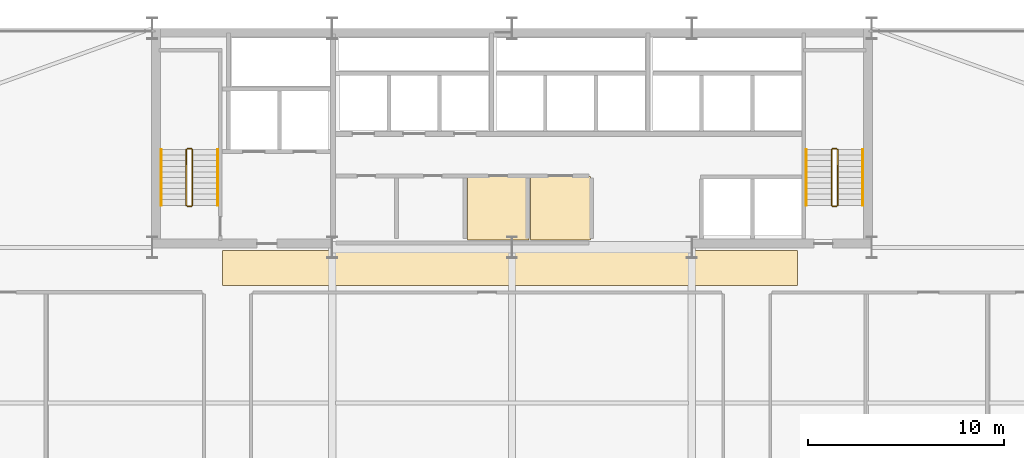
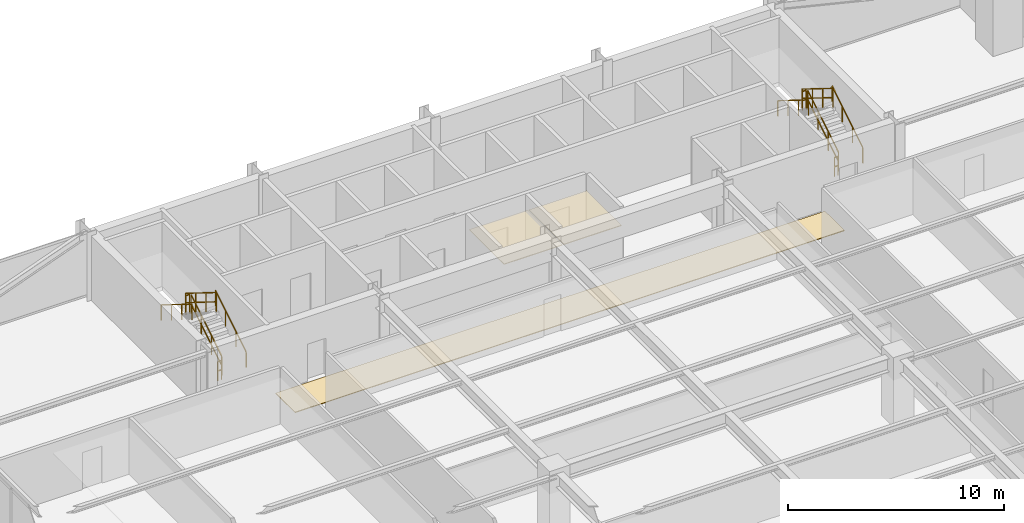
# One storey, part 32 of 32: 12 railings, 3 coverings.
"""IFC4 building model written with IfcOpenShell, lengths in metres."""

from ifc_helpers import new_model, si_unit, direction, frame, origin, origin_2d, place, context, subcontext, project, spatial, polyline, rectangle, outline, extrude, material, layer, layer_set, type_object, element, save


model = new_model("IFC4")

# Units and contexts
model_context = context("Model", 3, precision=1e-05, world=origin(), true_north=direction((0.0, 1.0)))
body_context = subcontext(model_context, "Body", "Model", "MODEL_VIEW")
ifc_project = project(units=[si_unit("LENGTHUNIT", "METRE"), si_unit("AREAUNIT", "SQUARE_METRE"), si_unit("VOLUMEUNIT", "CUBIC_METRE"), si_unit("PLANEANGLEUNIT", "RADIAN"), si_unit("MASSUNIT", "GRAM", prefix="KILO")], contexts=[model_context])

# Site, building, storey
site_placement = place(None, origin())
site = spatial("IfcSite", under=ifc_project, at=site_placement, CompositionType="ELEMENT")
building_placement = place(site_placement, origin())
building = spatial("IfcBuilding", under=site, at=building_placement, Name="Varnel Quay Broadcast Tower", CompositionType="ELEMENT")
storey_placement = place(building_placement, frame((0.0, 0.0, 70.5)))
storey = spatial("IfcBuildingStorey", under=building, at=storey_placement, Name="L16", CompositionType="ELEMENT", Elevation=70.5)

# Coverings
ifc_material_1 = material(Name="Micro-Perforated Acoustic Ceiling Tile")
ifc_layer_1 = layer(ifc_material_1, 0.0400390625, Name="Micro-Perforated Acoustic Ceiling Tile")
ifc_layer_set_1 = layer_set([ifc_layer_1], Name="Micro-Perforated Acoustic Ceiling Tile")
covering_type_1 = type_object("IfcCoveringType", Name="Cov_AcousticCeiling", PredefinedType="CEILING", material=ifc_layer_set_1)
covering_1_placement = place(storey_placement, frame((0.0, 0.0, 2.580078125)))
element("IfcCovering", 1, at=covering_1_placement, inside=storey, type_object=covering_type_1, Name="L16 Broadcast First-Aid & Quiet Room Acoustic Ceiling", PredefinedType="CEILING", context=body_context, shape_type="SweptSolid", body=[
    extrude(outline(polyline([(31.735107421875, 35.985107421875), (34.864990234375, 35.985107421875), (34.864990234375, 39.215087890625), (31.735107421875, 39.215087890625), (31.735107421875, 35.985107421875)])), origin(), (0.0, 0.0, 1.0), 0.0400390625),
])
covering_2_placement = place(storey_placement, frame((0.0, 0.0, 2.580078125)))
element("IfcCovering", 2, at=covering_2_placement, inside=storey, type_object=covering_type_1, Name="L16 Zone Lighting Dimmer Room Acoustic Ceiling", PredefinedType="CEILING", context=body_context, shape_type="SweptSolid", body=[
    extrude(outline(polyline([(34.93505859375, 35.985107421875), (38.014892578125, 35.985107421875), (38.014892578125, 39.215087890625), (34.93505859375, 39.215087890625), (34.93505859375, 35.985107421875)])), origin(), (0.0, 0.0, 1.0), 0.0400390625),
])
ifc_material_2 = material(Name="Polished Terrazzo & Broadcast Raised Flooring")
ifc_layer_2 = layer(ifc_material_2, 0.0400390625, Name="Polished Terrazzo & Broadcast Raised Flooring")
ifc_layer_set_2 = layer_set([ifc_layer_2], Name="Polished Terrazzo & Broadcast Raised Flooring")
covering_type_2 = type_object("IfcCoveringType", Name="Cov_TerrazzoFloor", PredefinedType="FLOORING", material=ifc_layer_set_2)
covering_3_placement = place(storey_placement, origin())
element("IfcCovering", 3, at=covering_3_placement, inside=storey, type_object=covering_type_2, Name="L16 Corridor Terrazzo Flooring", PredefinedType="FLOORING", context=body_context, shape_type="SweptSolid", body=[
    extrude(outline(polyline([(19.199951171875, 33.64990234375), (48.60009765625, 33.64990234375), (48.60009765625, 35.449951171875), (19.199951171875, 35.449951171875), (19.199951171875, 33.64990234375)])), origin(), (0.0, 0.0, 1.0), 0.0400390625),
])

# Railings
ifc_material_3 = material(Name="Painted Steel Guard and Handrail CSA G40.21 350W", Category="steel")
railing_type_1 = type_object("IfcRailingType", Name="Rail_StairGuard1100", PredefinedType="GUARDRAIL", material=ifc_material_3)
railing_1_placement = place(storey_placement, frame((17.64990234375, 37.75, 0.17724609375)))
element("IfcRailing", 4, at=railing_1_placement, inside=storey, type_object=railing_type_1, Name="L16 ST-01 stair guard 1", PredefinedType="GUARDRAIL", context=body_context, shape_type="SweptSolid", body=[
    extrude(rectangle(XDim=0.048095703125, YDim=0.048095703125, at=origin_2d()), frame((0.0, 0.0, 1.076171875), z_axis=(0.0, 0.849148672731, 0.528153890072), x_axis=(-1.0, 0.0, 0.0)), (0.0, 0.0, 1.0), 3.3564453125),
    extrude(rectangle(XDim=0.048095703125, YDim=0.048095703125, at=origin_2d()), frame((0.0, 0.0, 0.550048828125), z_axis=(0.0, 0.849148672731, 0.528153890072), x_axis=(-1.0, 0.0, 0.0)), (0.0, 0.0, 1.0), 3.3564453125),
    extrude(rectangle(XDim=0.0419921875, YDim=0.0419921875, at=origin_2d()), origin(), (0.0, 0.0, 1.0), 1.052001953125),
    extrude(rectangle(XDim=0.0419921875, YDim=0.0419921875, at=origin_2d()), frame((0.0, 0.949951171875, 0.5908203125)), (0.0, 0.0, 1.0), 1.052001953125),
    extrude(rectangle(XDim=0.0419921875, YDim=0.0419921875, at=origin_2d()), frame((0.0, 1.900146484375, 1.181884765625)), (0.0, 0.0, 1.0), 1.052001953125),
    extrude(rectangle(XDim=0.0419921875, YDim=0.0419921875, at=origin_2d()), frame((0.0, 2.85009765625, 1.772705078125)), (0.0, 0.0, 1.0), 1.052001953125),
])
railing_2_placement = place(storey_placement, frame((17.60009765625, 40.64990234375, 1.949951171875)))
element("IfcRailing", 5, at=railing_2_placement, inside=storey, type_object=railing_type_1, Name="L16 ST-01 stair guard 2", PredefinedType="GUARDRAIL", context=body_context, shape_type="SweptSolid", body=[
    extrude(rectangle(XDim=0.048095703125, YDim=0.048095703125, at=origin_2d()), frame((0.0, 0.0, 1.076171875), z_axis=(-1.0, 0.0, 0.0), x_axis=(0.0, -1.0, 0.0)), (0.0, 0.0, 1.0), 0.2001953125),
    extrude(rectangle(XDim=0.048095703125, YDim=0.048095703125, at=origin_2d()), frame((0.0, 0.0, 0.550048828125), z_axis=(-1.0, 0.0, 0.0), x_axis=(0.0, -1.0, 0.0)), (0.0, 0.0, 1.0), 0.2001953125),
    extrude(rectangle(XDim=0.0419921875, YDim=0.0419921875, at=origin_2d()), origin(), (0.0, 0.0, 1.0), 1.052001953125),
    extrude(rectangle(XDim=0.0419921875, YDim=0.0419921875, at=origin_2d()), frame((-0.2001953125, 0.0, 0.0)), (0.0, 0.0, 1.0), 1.052001953125),
])
railing_3_placement = place(storey_placement, frame((17.35009765625, 40.60009765625, 2.127197265625)))
element("IfcRailing", 6, at=railing_3_placement, inside=storey, type_object=railing_type_1, Name="L16 ST-01 stair guard 3", PredefinedType="GUARDRAIL", context=body_context, shape_type="SweptSolid", body=[
    extrude(rectangle(XDim=0.048095703125, YDim=0.048095703125, at=origin_2d()), frame((0.0, 0.0, 1.076171875), z_axis=(0.0, -0.849148672731, 0.528153890072), x_axis=(1.0, 0.0, 0.0)), (0.0, 0.0, 1.0), 3.3564453125),
    extrude(rectangle(XDim=0.048095703125, YDim=0.048095703125, at=origin_2d()), frame((0.0, 0.0, 0.550048828125), z_axis=(0.0, -0.849148672731, 0.528153890072), x_axis=(1.0, 0.0, 0.0)), (0.0, 0.0, 1.0), 3.3564453125),
    extrude(rectangle(XDim=0.0419921875, YDim=0.0419921875, at=origin_2d()), origin(), (0.0, 0.0, 1.0), 1.052001953125),
    extrude(rectangle(XDim=0.0419921875, YDim=0.0419921875, at=origin_2d()), frame((0.0, -0.949951171875, 0.5908203125)), (0.0, 0.0, 1.0), 1.052001953125),
    extrude(rectangle(XDim=0.0419921875, YDim=0.0419921875, at=origin_2d()), frame((0.0, -1.900146484375, 1.181884765625)), (0.0, 0.0, 1.0), 1.052001953125),
    extrude(rectangle(XDim=0.0419921875, YDim=0.0419921875, at=origin_2d()), frame((0.0, -2.85009765625, 1.772705078125)), (0.0, 0.0, 1.0), 1.052001953125),
])
railing_4_placement = place(storey_placement, frame((17.60009765625, 37.699951171875, 0.0)))
element("IfcRailing", 7, at=railing_4_placement, inside=storey, type_object=railing_type_1, Name="L16 ST-01 stair guard 4", PredefinedType="GUARDRAIL", context=body_context, shape_type="SweptSolid", body=[
    extrude(rectangle(XDim=0.048095703125, YDim=0.048095703125, at=origin_2d()), frame((0.0, 0.0, 1.076171875), z_axis=(-1.0, 0.0, 0.0), x_axis=(0.0, -1.0, 0.0)), (0.0, 0.0, 1.0), 0.2001953125),
    extrude(rectangle(XDim=0.048095703125, YDim=0.048095703125, at=origin_2d()), frame((0.0, 0.0, 0.550048828125), z_axis=(-1.0, 0.0, 0.0), x_axis=(0.0, -1.0, 0.0)), (0.0, 0.0, 1.0), 0.2001953125),
    extrude(rectangle(XDim=0.0419921875, YDim=0.0419921875, at=origin_2d()), origin(), (0.0, 0.0, 1.0), 1.052001953125),
    extrude(rectangle(XDim=0.0419921875, YDim=0.0419921875, at=origin_2d()), frame((-0.2001953125, 0.0, 0.0)), (0.0, 0.0, 1.0), 1.052001953125),
])
railing_5_placement = place(storey_placement, frame((50.64990234375, 37.75, 0.17724609375)))
element("IfcRailing", 8, at=railing_5_placement, inside=storey, type_object=railing_type_1, Name="L16 ST-02 stair guard 1", PredefinedType="GUARDRAIL", context=body_context, shape_type="SweptSolid", body=[
    extrude(rectangle(XDim=0.048095703125, YDim=0.048095703125, at=origin_2d()), frame((0.0, 0.0, 1.076171875), z_axis=(0.0, 0.849148672731, 0.528153890072), x_axis=(-1.0, 0.0, 0.0)), (0.0, 0.0, 1.0), 3.3564453125),
    extrude(rectangle(XDim=0.048095703125, YDim=0.048095703125, at=origin_2d()), frame((0.0, 0.0, 0.550048828125), z_axis=(0.0, 0.849148672731, 0.528153890072), x_axis=(-1.0, 0.0, 0.0)), (0.0, 0.0, 1.0), 3.3564453125),
    extrude(rectangle(XDim=0.0419921875, YDim=0.0419921875, at=origin_2d()), origin(), (0.0, 0.0, 1.0), 1.052001953125),
    extrude(rectangle(XDim=0.0419921875, YDim=0.0419921875, at=origin_2d()), frame((0.0, 0.949951171875, 0.5908203125)), (0.0, 0.0, 1.0), 1.052001953125),
    extrude(rectangle(XDim=0.0419921875, YDim=0.0419921875, at=origin_2d()), frame((0.0, 1.900146484375, 1.181884765625)), (0.0, 0.0, 1.0), 1.052001953125),
    extrude(rectangle(XDim=0.0419921875, YDim=0.0419921875, at=origin_2d()), frame((0.0, 2.85009765625, 1.772705078125)), (0.0, 0.0, 1.0), 1.052001953125),
])
railing_6_placement = place(storey_placement, frame((50.60009765625, 40.64990234375, 1.949951171875)))
element("IfcRailing", 9, at=railing_6_placement, inside=storey, type_object=railing_type_1, Name="L16 ST-02 stair guard 2", PredefinedType="GUARDRAIL", context=body_context, shape_type="SweptSolid", body=[
    extrude(rectangle(XDim=0.048095703125, YDim=0.048095703125, at=origin_2d()), frame((0.0, 0.0, 1.076171875), z_axis=(-1.0, 0.0, 0.0), x_axis=(0.0, -1.0, 0.0)), (0.0, 0.0, 1.0), 0.2001953125),
    extrude(rectangle(XDim=0.048095703125, YDim=0.048095703125, at=origin_2d()), frame((0.0, 0.0, 0.550048828125), z_axis=(-1.0, 0.0, 0.0), x_axis=(0.0, -1.0, 0.0)), (0.0, 0.0, 1.0), 0.2001953125),
    extrude(rectangle(XDim=0.0419921875, YDim=0.0419921875, at=origin_2d()), origin(), (0.0, 0.0, 1.0), 1.052001953125),
    extrude(rectangle(XDim=0.0419921875, YDim=0.0419921875, at=origin_2d()), frame((-0.2001953125, 0.0, 0.0)), (0.0, 0.0, 1.0), 1.052001953125),
])
railing_7_placement = place(storey_placement, frame((50.35009765625, 40.60009765625, 2.127197265625)))
element("IfcRailing", 10, at=railing_7_placement, inside=storey, type_object=railing_type_1, Name="L16 ST-02 stair guard 3", PredefinedType="GUARDRAIL", context=body_context, shape_type="SweptSolid", body=[
    extrude(rectangle(XDim=0.048095703125, YDim=0.048095703125, at=origin_2d()), frame((0.0, 0.0, 1.076171875), z_axis=(0.0, -0.849148672731, 0.528153890072), x_axis=(1.0, 0.0, 0.0)), (0.0, 0.0, 1.0), 3.3564453125),
    extrude(rectangle(XDim=0.048095703125, YDim=0.048095703125, at=origin_2d()), frame((0.0, 0.0, 0.550048828125), z_axis=(0.0, -0.849148672731, 0.528153890072), x_axis=(1.0, 0.0, 0.0)), (0.0, 0.0, 1.0), 3.3564453125),
    extrude(rectangle(XDim=0.0419921875, YDim=0.0419921875, at=origin_2d()), origin(), (0.0, 0.0, 1.0), 1.052001953125),
    extrude(rectangle(XDim=0.0419921875, YDim=0.0419921875, at=origin_2d()), frame((0.0, -0.949951171875, 0.5908203125)), (0.0, 0.0, 1.0), 1.052001953125),
    extrude(rectangle(XDim=0.0419921875, YDim=0.0419921875, at=origin_2d()), frame((0.0, -1.900146484375, 1.181884765625)), (0.0, 0.0, 1.0), 1.052001953125),
    extrude(rectangle(XDim=0.0419921875, YDim=0.0419921875, at=origin_2d()), frame((0.0, -2.85009765625, 1.772705078125)), (0.0, 0.0, 1.0), 1.052001953125),
])
railing_8_placement = place(storey_placement, frame((50.60009765625, 37.699951171875, 0.0)))
element("IfcRailing", 11, at=railing_8_placement, inside=storey, type_object=railing_type_1, Name="L16 ST-02 stair guard 4", PredefinedType="GUARDRAIL", context=body_context, shape_type="SweptSolid", body=[
    extrude(rectangle(XDim=0.048095703125, YDim=0.048095703125, at=origin_2d()), frame((0.0, 0.0, 1.076171875), z_axis=(-1.0, 0.0, 0.0), x_axis=(0.0, -1.0, 0.0)), (0.0, 0.0, 1.0), 0.2001953125),
    extrude(rectangle(XDim=0.048095703125, YDim=0.048095703125, at=origin_2d()), frame((0.0, 0.0, 0.550048828125), z_axis=(-1.0, 0.0, 0.0), x_axis=(0.0, -1.0, 0.0)), (0.0, 0.0, 1.0), 0.2001953125),
    extrude(rectangle(XDim=0.0419921875, YDim=0.0419921875, at=origin_2d()), origin(), (0.0, 0.0, 1.0), 1.052001953125),
    extrude(rectangle(XDim=0.0419921875, YDim=0.0419921875, at=origin_2d()), frame((-0.2001953125, 0.0, 0.0)), (0.0, 0.0, 1.0), 1.052001953125),
])
railing_type_2 = type_object("IfcRailingType", Name="Rail_StairHandrail900", PredefinedType="HANDRAIL", material=ifc_material_3)
railing_9_placement = place(storey_placement, frame((18.949951171875, 37.75, 0.17724609375)))
element("IfcRailing", 12, at=railing_9_placement, inside=storey, type_object=railing_type_2, Name="L16 ST-01 stair handrail 1", PredefinedType="HANDRAIL", context=body_context, shape_type="SweptSolid", body=[
    extrude(rectangle(XDim=0.048095703125, YDim=0.048095703125, at=origin_2d()), frame((0.0, 0.0, 0.8759765625), z_axis=(0.0, 0.849148672731, 0.528153890072), x_axis=(-1.0, 0.0, 0.0)), (0.0, 0.0, 1.0), 3.3564453125),
    extrude(rectangle(XDim=0.0419921875, YDim=0.0419921875, at=origin_2d()), origin(), (0.0, 0.0, 1.0), 0.851806640625),
    extrude(rectangle(XDim=0.0419921875, YDim=0.0419921875, at=origin_2d()), frame((0.0, 0.949951171875, 0.5908203125)), (0.0, 0.0, 1.0), 0.851806640625),
    extrude(rectangle(XDim=0.0419921875, YDim=0.0419921875, at=origin_2d()), frame((0.0, 1.900146484375, 1.181884765625)), (0.0, 0.0, 1.0), 0.851806640625),
    extrude(rectangle(XDim=0.0419921875, YDim=0.0419921875, at=origin_2d()), frame((0.0, 2.85009765625, 1.772705078125)), (0.0, 0.0, 1.0), 0.851806640625),
])
railing_10_placement = place(storey_placement, frame((16.050048828125, 40.60009765625, 2.127197265625)))
element("IfcRailing", 13, at=railing_10_placement, inside=storey, type_object=railing_type_2, Name="L16 ST-01 stair handrail 2", PredefinedType="HANDRAIL", context=body_context, shape_type="SweptSolid", body=[
    extrude(rectangle(XDim=0.048095703125, YDim=0.048095703125, at=origin_2d()), frame((0.0, 0.0, 0.8759765625), z_axis=(0.0, -0.849148672731, 0.528153890072), x_axis=(1.0, 0.0, 0.0)), (0.0, 0.0, 1.0), 3.3564453125),
    extrude(rectangle(XDim=0.0419921875, YDim=0.0419921875, at=origin_2d()), origin(), (0.0, 0.0, 1.0), 0.851806640625),
    extrude(rectangle(XDim=0.0419921875, YDim=0.0419921875, at=origin_2d()), frame((0.0, -0.949951171875, 0.5908203125)), (0.0, 0.0, 1.0), 0.851806640625),
    extrude(rectangle(XDim=0.0419921875, YDim=0.0419921875, at=origin_2d()), frame((0.0, -1.900146484375, 1.181884765625)), (0.0, 0.0, 1.0), 0.851806640625),
    extrude(rectangle(XDim=0.0419921875, YDim=0.0419921875, at=origin_2d()), frame((0.0, -2.85009765625, 1.772705078125)), (0.0, 0.0, 1.0), 0.851806640625),
])
railing_11_placement = place(storey_placement, frame((51.949951171875, 37.75, 0.17724609375)))
element("IfcRailing", 14, at=railing_11_placement, inside=storey, type_object=railing_type_2, Name="L16 ST-02 stair handrail 1", PredefinedType="HANDRAIL", context=body_context, shape_type="SweptSolid", body=[
    extrude(rectangle(XDim=0.048095703125, YDim=0.048095703125, at=origin_2d()), frame((0.0, 0.0, 0.8759765625), z_axis=(0.0, 0.849148672731, 0.528153890072), x_axis=(-1.0, 0.0, 0.0)), (0.0, 0.0, 1.0), 3.3564453125),
    extrude(rectangle(XDim=0.0419921875, YDim=0.0419921875, at=origin_2d()), origin(), (0.0, 0.0, 1.0), 0.851806640625),
    extrude(rectangle(XDim=0.0419921875, YDim=0.0419921875, at=origin_2d()), frame((0.0, 0.949951171875, 0.5908203125)), (0.0, 0.0, 1.0), 0.851806640625),
    extrude(rectangle(XDim=0.0419921875, YDim=0.0419921875, at=origin_2d()), frame((0.0, 1.900146484375, 1.181884765625)), (0.0, 0.0, 1.0), 0.851806640625),
    extrude(rectangle(XDim=0.0419921875, YDim=0.0419921875, at=origin_2d()), frame((0.0, 2.85009765625, 1.772705078125)), (0.0, 0.0, 1.0), 0.851806640625),
])
railing_12_placement = place(storey_placement, frame((49.050048828125, 40.60009765625, 2.127197265625)))
element("IfcRailing", 15, at=railing_12_placement, inside=storey, type_object=railing_type_2, Name="L16 ST-02 stair handrail 2", PredefinedType="HANDRAIL", context=body_context, shape_type="SweptSolid", body=[
    extrude(rectangle(XDim=0.048095703125, YDim=0.048095703125, at=origin_2d()), frame((0.0, 0.0, 0.8759765625), z_axis=(0.0, -0.849148672731, 0.528153890072), x_axis=(1.0, 0.0, 0.0)), (0.0, 0.0, 1.0), 3.3564453125),
    extrude(rectangle(XDim=0.0419921875, YDim=0.0419921875, at=origin_2d()), origin(), (0.0, 0.0, 1.0), 0.851806640625),
    extrude(rectangle(XDim=0.0419921875, YDim=0.0419921875, at=origin_2d()), frame((0.0, -0.949951171875, 0.5908203125)), (0.0, 0.0, 1.0), 0.851806640625),
    extrude(rectangle(XDim=0.0419921875, YDim=0.0419921875, at=origin_2d()), frame((0.0, -1.900146484375, 1.181884765625)), (0.0, 0.0, 1.0), 0.851806640625),
    extrude(rectangle(XDim=0.0419921875, YDim=0.0419921875, at=origin_2d()), frame((0.0, -2.85009765625, 1.772705078125)), (0.0, 0.0, 1.0), 0.851806640625),
])

save(model, "model.ifc")
